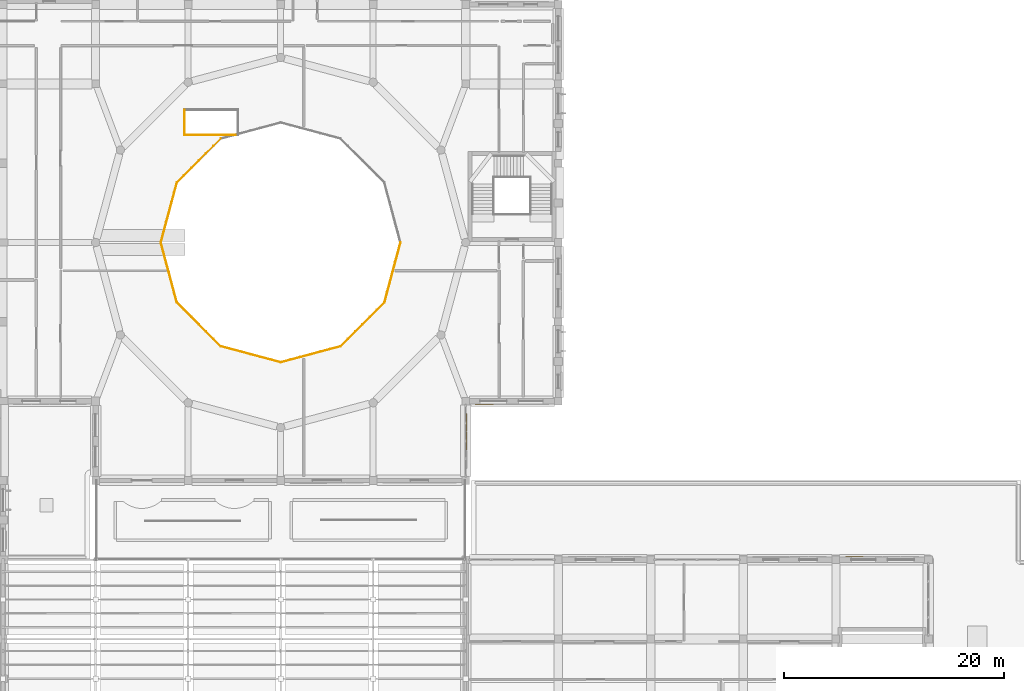
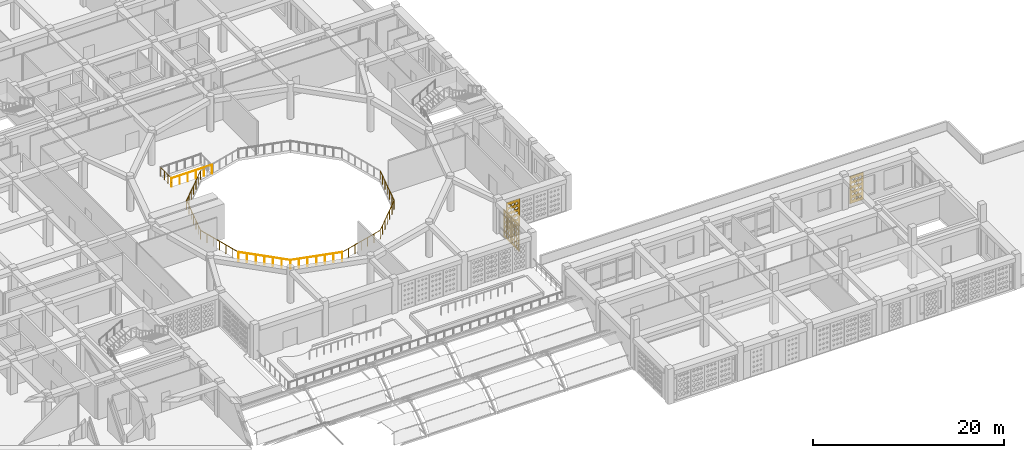
# One storey, part 83 of 100: 10 railings, 4 coverings.
"""IFC4 building model written with IfcOpenShell, lengths in metres."""

from ifc_helpers import new_model, si_unit, derived_unit, direction, frame, origin, origin_2d, place, context, subcontext, project, spatial, polyline, circle, outline, extrude, material, layer, layer_set, type_object, element, save


model = new_model("IFC4")

# Units and contexts
model_context = context("Model", 3, precision=1e-05, world=origin(), true_north=direction((0.0, 1.0)))
body_context = subcontext(model_context, "Body", "Model", "MODEL_VIEW")
ifc_project = project(units=[si_unit("LENGTHUNIT", "METRE"), si_unit("AREAUNIT", "SQUARE_METRE"), si_unit("VOLUMEUNIT", "CUBIC_METRE"), si_unit("PLANEANGLEUNIT", "RADIAN"), si_unit("MASSUNIT", "GRAM", prefix="KILO"), derived_unit("THERMALTRANSMITTANCEUNIT", [(si_unit("POWERUNIT", "WATT"), 1), (si_unit("LENGTHUNIT", "METRE"), -2), (si_unit("THERMODYNAMICTEMPERATUREUNIT", "KELVIN"), -1)])], contexts=[model_context])

# Site, building, storey
site_placement = place(None, origin())
site = spatial("IfcSite", under=ifc_project, at=site_placement, CompositionType="ELEMENT")
building_placement = place(site_placement, origin())
building = spatial("IfcBuilding", under=site, at=building_placement, Name="Veybourne Emporium", CompositionType="ELEMENT")
storey_placement = place(building_placement, frame((0.0, 0.0, 14.39990234375)))
storey = spatial("IfcBuildingStorey", under=building, at=storey_placement, Name="L03", CompositionType="ELEMENT", Elevation=14.39990234375)

# Railings
ifc_material_1 = material(Name="Patinated Architectural Bronze", Category="bronze")
railing_type = type_object("IfcRailingType", Name="Balustrade_BL-01", PredefinedType="BALUSTRADE", material=ifc_material_1)
railing_1_placement = place(storey_placement, frame((70.159912109375, 59.822265625, 0.0)))
element("IfcRailing", 1, at=railing_1_placement, inside=storey, type_object=railing_type, Name="L03 central atrium void balustrade 05", PredefinedType="BALUSTRADE", context=body_context, shape_type="SweptSolid", body=[
    extrude(circle(Radius=0.02392578125, at=origin_2d()), frame((0.0, 0.0, 1.1259765625), z_axis=(-0.707106781187, -0.707106781187, 0.0), x_axis=(0.707106781187, -0.707106781187, 0.0)), (0.0, 0.0, 1.0), 5.631591796875),
    extrude(circle(Radius=0.02099609375, at=origin_2d()), origin(), (0.0, 0.0, 1.0), 1.101806640625),
    extrude(circle(Radius=0.02099609375, at=origin_2d()), frame((-0.66357421875, -0.66357421875, 0.0)), (0.0, 0.0, 1.0), 1.101806640625),
    extrude(circle(Radius=0.02099609375, at=origin_2d()), frame((-1.327392578125, -1.327392578125, 0.0)), (0.0, 0.0, 1.0), 1.101806640625),
    extrude(circle(Radius=0.02099609375, at=origin_2d()), frame((-1.9912109375, -1.9912109375, 0.0)), (0.0, 0.0, 1.0), 1.101806640625),
    extrude(circle(Radius=0.02099609375, at=origin_2d()), frame((-2.65478515625, -2.65478515625, 0.0)), (0.0, 0.0, 1.0), 1.101806640625),
    extrude(circle(Radius=0.02099609375, at=origin_2d()), frame((-3.318359375, -3.318359375, 0.0)), (0.0, 0.0, 1.0), 1.101806640625),
    extrude(circle(Radius=0.02099609375, at=origin_2d()), frame((-3.982177734375, -3.982177734375, 0.0)), (0.0, 0.0, 1.0), 1.101806640625),
])
railing_2_placement = place(storey_placement, frame((66.177734375, 55.840087890625, 0.0)))
element("IfcRailing", 2, at=railing_2_placement, inside=storey, type_object=railing_type, Name="L03 central atrium void balustrade 06", PredefinedType="BALUSTRADE", context=body_context, shape_type="SweptSolid", body=[
    extrude(circle(Radius=0.02392578125, at=origin_2d()), frame((0.0, 0.0, 1.1259765625), z_axis=(-0.258830698881, -0.965922703593, 0.0), x_axis=(0.965922703593, -0.258830698881, 0.0)), (0.0, 0.0, 1.0), 5.632080078125),
    extrude(circle(Radius=0.02099609375, at=origin_2d()), origin(), (0.0, 0.0, 1.0), 1.101806640625),
    extrude(circle(Radius=0.02099609375, at=origin_2d()), frame((-0.242919921875, -0.90673828125, 0.0)), (0.0, 0.0, 1.0), 1.101806640625),
    extrude(circle(Radius=0.02099609375, at=origin_2d()), frame((-0.48583984375, -1.8134765625, 0.0)), (0.0, 0.0, 1.0), 1.101806640625),
    extrude(circle(Radius=0.02099609375, at=origin_2d()), frame((-0.72900390625, -2.72021484375, 0.0)), (0.0, 0.0, 1.0), 1.101806640625),
    extrude(circle(Radius=0.02099609375, at=origin_2d()), frame((-0.971923828125, -3.626708984375, 0.0)), (0.0, 0.0, 1.0), 1.101806640625),
    extrude(circle(Radius=0.02099609375, at=origin_2d()), frame((-1.21484375, -4.533447265625, 0.0)), (0.0, 0.0, 1.0), 1.101806640625),
    extrude(circle(Radius=0.02099609375, at=origin_2d()), frame((-1.457763671875, -5.440185546875, 0.0)), (0.0, 0.0, 1.0), 1.101806640625),
])
railing_3_placement = place(storey_placement, frame((64.719970703125, 50.39990234375, 0.0)))
element("IfcRailing", 3, at=railing_3_placement, inside=storey, type_object=railing_type, Name="L03 central atrium void balustrade 07", PredefinedType="BALUSTRADE", context=body_context, shape_type="SweptSolid", body=[
    extrude(circle(Radius=0.02392578125, at=origin_2d()), frame((0.0, 0.0, 1.1259765625), z_axis=(0.258841536762, -0.965919799386, 0.0), x_axis=(0.965919799386, 0.258841536762, 0.0)), (0.0, 0.0, 1.0), 5.6318359375),
    extrude(circle(Radius=0.02099609375, at=origin_2d()), origin(), (0.0, 0.0, 1.0), 1.101806640625),
    extrude(circle(Radius=0.02099609375, at=origin_2d()), frame((0.242919921875, -0.90673828125, 0.0)), (0.0, 0.0, 1.0), 1.101806640625),
    extrude(circle(Radius=0.02099609375, at=origin_2d()), frame((0.48583984375, -1.813232421875, 0.0)), (0.0, 0.0, 1.0), 1.101806640625),
    extrude(circle(Radius=0.02099609375, at=origin_2d()), frame((0.72900390625, -2.719970703125, 0.0)), (0.0, 0.0, 1.0), 1.101806640625),
    extrude(circle(Radius=0.02099609375, at=origin_2d()), frame((0.971923828125, -3.626708984375, 0.0)), (0.0, 0.0, 1.0), 1.101806640625),
    extrude(circle(Radius=0.02099609375, at=origin_2d()), frame((1.21484375, -4.533203125, 0.0)), (0.0, 0.0, 1.0), 1.101806640625),
    extrude(circle(Radius=0.02099609375, at=origin_2d()), frame((1.457763671875, -5.43994140625, 0.0)), (0.0, 0.0, 1.0), 1.101806640625),
])
railing_4_placement = place(storey_placement, frame((66.177734375, 44.9599609375, 0.0)))
element("IfcRailing", 4, at=railing_4_placement, inside=storey, type_object=railing_type, Name="L03 central atrium void balustrade 08", PredefinedType="BALUSTRADE", context=body_context, shape_type="SweptSolid", body=[
    extrude(circle(Radius=0.02392578125, at=origin_2d()), frame((0.0, 0.0, 1.1259765625), z_axis=(0.707085105755, -0.707128455954, 0.0), x_axis=(0.707128455954, 0.707085105755, 0.0)), (0.0, 0.0, 1.0), 5.6318359375),
    extrude(circle(Radius=0.02099609375, at=origin_2d()), origin(), (0.0, 0.0, 1.0), 1.101806640625),
    extrude(circle(Radius=0.02099609375, at=origin_2d()), frame((0.66357421875, -0.663818359375, 0.0)), (0.0, 0.0, 1.0), 1.101806640625),
    extrude(circle(Radius=0.02099609375, at=origin_2d()), frame((1.327392578125, -1.327392578125, 0.0)), (0.0, 0.0, 1.0), 1.101806640625),
    extrude(circle(Radius=0.02099609375, at=origin_2d()), frame((1.9912109375, -1.9912109375, 0.0)), (0.0, 0.0, 1.0), 1.101806640625),
    extrude(circle(Radius=0.02099609375, at=origin_2d()), frame((2.65478515625, -2.655029296875, 0.0)), (0.0, 0.0, 1.0), 1.101806640625),
    extrude(circle(Radius=0.02099609375, at=origin_2d()), frame((3.318359375, -3.318603515625, 0.0)), (0.0, 0.0, 1.0), 1.101806640625),
    extrude(circle(Radius=0.02099609375, at=origin_2d()), frame((3.982177734375, -3.982421875, 0.0)), (0.0, 0.0, 1.0), 1.101806640625),
])
railing_5_placement = place(storey_placement, frame((70.159912109375, 40.9775390625, 0.0)))
element("IfcRailing", 5, at=railing_5_placement, inside=storey, type_object=railing_type, Name="L03 central atrium void balustrade 09", PredefinedType="BALUSTRADE", context=body_context, shape_type="SweptSolid", body=[
    extrude(circle(Radius=0.02392578125, at=origin_2d()), frame((0.0, 0.0, 1.1259765625), z_axis=(0.965933540312, -0.25879025426, 0.0), x_axis=(0.25879025426, 0.965933540312, 0.0)), (0.0, 0.0, 1.0), 5.632080078125),
    extrude(circle(Radius=0.02099609375, at=origin_2d()), origin(), (0.0, 0.0, 1.0), 1.101806640625),
    extrude(circle(Radius=0.02099609375, at=origin_2d()), frame((0.90673828125, -0.242919921875, 0.0)), (0.0, 0.0, 1.0), 1.101806640625),
    extrude(circle(Radius=0.02099609375, at=origin_2d()), frame((1.8134765625, -0.48583984375, 0.0)), (0.0, 0.0, 1.0), 1.101806640625),
    extrude(circle(Radius=0.02099609375, at=origin_2d()), frame((2.72021484375, -0.728759765625, 0.0)), (0.0, 0.0, 1.0), 1.101806640625),
    extrude(circle(Radius=0.02099609375, at=origin_2d()), frame((3.626708984375, -0.9716796875, 0.0)), (0.0, 0.0, 1.0), 1.101806640625),
    extrude(circle(Radius=0.02099609375, at=origin_2d()), frame((4.533447265625, -1.214599609375, 0.0)), (0.0, 0.0, 1.0), 1.101806640625),
    extrude(circle(Radius=0.02099609375, at=origin_2d()), frame((5.440185546875, -1.45751953125, 0.0)), (0.0, 0.0, 1.0), 1.101806640625),
])
railing_6_placement = place(storey_placement, frame((75.60009765625, 39.52001953125, 0.0)))
element("IfcRailing", 6, at=railing_6_placement, inside=storey, type_object=railing_type, Name="L03 central atrium void balustrade 10", PredefinedType="BALUSTRADE", context=body_context, shape_type="SweptSolid", body=[
    extrude(circle(Radius=0.02392578125, at=origin_2d()), frame((0.0, 0.0, 1.1259765625), z_axis=(0.96593063698, 0.258801090691, 0.0), x_axis=(-0.258801090691, 0.96593063698, 0.0)), (0.0, 0.0, 1.0), 5.6318359375),
    extrude(circle(Radius=0.02099609375, at=origin_2d()), origin(), (0.0, 0.0, 1.0), 1.101806640625),
    extrude(circle(Radius=0.02099609375, at=origin_2d()), frame((0.90673828125, 0.242919921875, 0.0)), (0.0, 0.0, 1.0), 1.101806640625),
    extrude(circle(Radius=0.02099609375, at=origin_2d()), frame((1.813232421875, 0.48583984375, 0.0)), (0.0, 0.0, 1.0), 1.101806640625),
    extrude(circle(Radius=0.02099609375, at=origin_2d()), frame((2.719970703125, 0.728759765625, 0.0)), (0.0, 0.0, 1.0), 1.101806640625),
    extrude(circle(Radius=0.02099609375, at=origin_2d()), frame((3.626708984375, 0.9716796875, 0.0)), (0.0, 0.0, 1.0), 1.101806640625),
    extrude(circle(Radius=0.02099609375, at=origin_2d()), frame((4.533203125, 1.214599609375, 0.0)), (0.0, 0.0, 1.0), 1.101806640625),
    extrude(circle(Radius=0.02099609375, at=origin_2d()), frame((5.43994140625, 1.45751953125, 0.0)), (0.0, 0.0, 1.0), 1.101806640625),
])
railing_7_placement = place(storey_placement, frame((81.0400390625, 40.9775390625, 0.0)))
element("IfcRailing", 7, at=railing_7_placement, inside=storey, type_object=railing_type, Name="L03 central atrium void balustrade 11", PredefinedType="BALUSTRADE", context=body_context, shape_type="SweptSolid", body=[
    extrude(circle(Radius=0.02392578125, at=origin_2d()), frame((0.0, 0.0, 1.1259765625), z_axis=(0.707106781187, 0.707106781187, 0.0), x_axis=(-0.707106781187, 0.707106781187, 0.0)), (0.0, 0.0, 1.0), 5.632080078125),
    extrude(circle(Radius=0.02099609375, at=origin_2d()), origin(), (0.0, 0.0, 1.0), 1.101806640625),
    extrude(circle(Radius=0.02099609375, at=origin_2d()), frame((0.663818359375, 0.663818359375, 0.0)), (0.0, 0.0, 1.0), 1.101806640625),
    extrude(circle(Radius=0.02099609375, at=origin_2d()), frame((1.327392578125, 1.327392578125, 0.0)), (0.0, 0.0, 1.0), 1.101806640625),
    extrude(circle(Radius=0.02099609375, at=origin_2d()), frame((1.9912109375, 1.9912109375, 0.0)), (0.0, 0.0, 1.0), 1.101806640625),
    extrude(circle(Radius=0.02099609375, at=origin_2d()), frame((2.655029296875, 2.655029296875, 0.0)), (0.0, 0.0, 1.0), 1.101806640625),
    extrude(circle(Radius=0.02099609375, at=origin_2d()), frame((3.318603515625, 3.318603515625, 0.0)), (0.0, 0.0, 1.0), 1.101806640625),
    extrude(circle(Radius=0.02099609375, at=origin_2d()), frame((3.982421875, 3.982421875, 0.0)), (0.0, 0.0, 1.0), 1.101806640625),
])
railing_8_placement = place(storey_placement, frame((85.0224609375, 44.9599609375, 0.0)))
element("IfcRailing", 8, at=railing_8_placement, inside=storey, type_object=railing_type, Name="L03 central atrium void balustrade 12", PredefinedType="BALUSTRADE", context=body_context, shape_type="SweptSolid", body=[
    extrude(circle(Radius=0.02392578125, at=origin_2d()), frame((0.0, 0.0, 1.1259765625), z_axis=(0.258801090691, 0.96593063698, 0.0), x_axis=(-0.96593063698, 0.258801090691, 0.0)), (0.0, 0.0, 1.0), 5.6318359375),
    extrude(circle(Radius=0.02099609375, at=origin_2d()), origin(), (0.0, 0.0, 1.0), 1.101806640625),
    extrude(circle(Radius=0.02099609375, at=origin_2d()), frame((0.242919921875, 0.90673828125, 0.0)), (0.0, 0.0, 1.0), 1.101806640625),
    extrude(circle(Radius=0.02099609375, at=origin_2d()), frame((0.48583984375, 1.813232421875, 0.0)), (0.0, 0.0, 1.0), 1.101806640625),
    extrude(circle(Radius=0.02099609375, at=origin_2d()), frame((0.728759765625, 2.719970703125, 0.0)), (0.0, 0.0, 1.0), 1.101806640625),
    extrude(circle(Radius=0.02099609375, at=origin_2d()), frame((0.9716796875, 3.626708984375, 0.0)), (0.0, 0.0, 1.0), 1.101806640625),
    extrude(circle(Radius=0.02099609375, at=origin_2d()), frame((1.214599609375, 4.533203125, 0.0)), (0.0, 0.0, 1.0), 1.101806640625),
    extrude(circle(Radius=0.02099609375, at=origin_2d()), frame((1.45751953125, 5.43994140625, 0.0)), (0.0, 0.0, 1.0), 1.101806640625),
])
railing_9_placement = place(storey_placement, frame((66.860107421875, 60.171875, 0.0)))
element("IfcRailing", 9, at=railing_9_placement, inside=storey, type_object=railing_type, Name="L03 escalator well balustrade 1.1", PredefinedType="BALUSTRADE", context=body_context, shape_type="SweptSolid", body=[
    extrude(circle(Radius=0.02392578125, at=origin_2d()), frame((0.0, 0.0, 1.1259765625), z_axis=(1.0, 0.0, 0.0), x_axis=(0.0, 1.0, 0.0)), (0.0, 0.0, 1.0), 4.8798828125),
    extrude(circle(Radius=0.02099609375, at=origin_2d()), origin(), (0.0, 0.0, 1.0), 1.101806640625),
    extrude(circle(Radius=0.02099609375, at=origin_2d()), frame((0.97607421875, 0.0, 0.0)), (0.0, 0.0, 1.0), 1.101806640625),
    extrude(circle(Radius=0.02099609375, at=origin_2d()), frame((1.951904296875, 0.0, 0.0)), (0.0, 0.0, 1.0), 1.101806640625),
    extrude(circle(Radius=0.02099609375, at=origin_2d()), frame((2.927978515625, 0.0, 0.0)), (0.0, 0.0, 1.0), 1.101806640625),
    extrude(circle(Radius=0.02099609375, at=origin_2d()), frame((3.90380859375, 0.0, 0.0)), (0.0, 0.0, 1.0), 1.101806640625),
    extrude(circle(Radius=0.02099609375, at=origin_2d()), frame((4.8798828125, 0.0, 0.0)), (0.0, 0.0, 1.0), 1.101806640625),
])
railing_10_placement = place(storey_placement, frame((66.860107421875, 62.451904296875, 0.0)))
element("IfcRailing", 10, at=railing_10_placement, inside=storey, type_object=railing_type, Name="L03 escalator well balustrade 1.4", PredefinedType="BALUSTRADE", context=body_context, shape_type="SweptSolid", body=[
    extrude(circle(Radius=0.02392578125, at=origin_2d()), frame((0.0, 0.0, 1.1259765625), z_axis=(0.0, -1.0, 0.0), x_axis=(1.0, 0.0, 0.0)), (0.0, 0.0, 1.0), 2.280029296875),
    extrude(circle(Radius=0.02099609375, at=origin_2d()), origin(), (0.0, 0.0, 1.0), 1.101806640625),
    extrude(circle(Radius=0.02099609375, at=origin_2d()), frame((0.0, -0.760009765625, 0.0)), (0.0, 0.0, 1.0), 1.101806640625),
    extrude(circle(Radius=0.02099609375, at=origin_2d()), frame((0.0, -1.52001953125, 0.0)), (0.0, 0.0, 1.0), 1.101806640625),
    extrude(circle(Radius=0.02099609375, at=origin_2d()), frame((0.0, -2.280029296875, 0.0)), (0.0, 0.0, 1.0), 1.101806640625),
])

# Coverings
ifc_material_2 = material(Name="Warm-White Perforated Aluminium Screen Alloy", Category="aluminium")
ifc_layer_1 = layer(ifc_material_2, 0.06005859375)
ifc_layer_set_1 = layer_set([ifc_layer_1], Name="Warm-White Perforated Aluminium Screen Alloy")
covering_type_1 = type_object("IfcCoveringType", Name="WaveScreen_SCR-01", PredefinedType="CLADDING", material=ifc_layer_set_1)
covering_1_placement = place(storey_placement, frame((94.080078125, 35.701904296875, 1.815185546875), z_axis=(0.0, 1.0, 0.0), x_axis=(-1.0, 0.0, 0.0)))
element("IfcCovering", 11, at=covering_1_placement, inside=storey, type_object=covering_type_1, Name="L03 wave-perforated aluminium screen SCR-01 (53.4)", PredefinedType="CLADDING", context=body_context, shape_type="SweptSolid", body=[
    extrude(outline(polyline([(-0.81982421875, -1.7548828125), (0.81982421875, -1.7548828125), (0.81982421875, 1.7548828125), (-0.81982421875, 1.7548828125), (-0.81982421875, -1.7548828125)]), holes=[polyline([(-0.433349609375, -0.986572265625), (-0.2470703125, -1.14111328125), (-0.2470703125, -1.31494140625), (-0.433349609375, -1.469482421875), (-0.61962890625, -1.31494140625), (-0.61962890625, -1.14111328125), (-0.433349609375, -0.986572265625)]), polyline([(-0.433349609375, -0.384765625), (-0.2470703125, -0.531494140625), (-0.2470703125, -0.696533203125), (-0.433349609375, -0.84326171875), (-0.61962890625, -0.696533203125), (-0.61962890625, -0.531494140625), (-0.433349609375, -0.384765625)]), polyline([(-0.433349609375, 0.216064453125), (-0.2470703125, 0.077880859375), (-0.2470703125, -0.077880859375), (-0.433349609375, -0.216064453125), (-0.61962890625, -0.077880859375), (-0.61962890625, 0.077880859375), (-0.433349609375, 0.216064453125)]), polyline([(-0.433349609375, 0.816162109375), (-0.2578125, 0.686767578125), (-0.2578125, 0.541259765625), (-0.433349609375, 0.411865234375), (-0.60888671875, 0.541259765625), (-0.60888671875, 0.686767578125), (-0.433349609375, 0.816162109375)]), polyline([(-0.433349609375, 1.416015625), (-0.26953125, 1.295654296875), (-0.26953125, 1.160400390625), (-0.433349609375, 1.039794921875), (-0.59716796875, 1.160400390625), (-0.59716796875, 1.295654296875), (-0.433349609375, 1.416015625)]), polyline([(0.0, -0.981689453125), (0.186279296875, -1.139404296875), (0.186279296875, -1.316650390625), (0.0, -1.474365234375), (-0.186279296875, -1.316650390625), (-0.186279296875, -1.139404296875), (0.0, -0.981689453125)]), polyline([(0.0, -0.379150390625), (0.186279296875, -0.529296875), (0.186279296875, -0.698486328125), (0.0, -0.848876953125), (-0.186279296875, -0.698486328125), (-0.186279296875, -0.529296875), (0.0, -0.379150390625)]), polyline([(0.0, 0.22216796875), (0.186279296875, 0.080078125), (0.186279296875, -0.080078125), (0.0, -0.22216796875), (-0.186279296875, -0.080078125), (-0.186279296875, 0.080078125), (0.0, 0.22216796875)]), polyline([(0.0, 0.822509765625), (0.1806640625, 0.689208984375), (0.1806640625, 0.538818359375), (0.0, 0.405517578125), (-0.1806640625, 0.538818359375), (-0.1806640625, 0.689208984375), (0.0, 0.822509765625)]), polyline([(0.0, 1.422607421875), (0.169189453125, 1.298095703125), (0.169189453125, 1.157958984375), (0.0, 1.033447265625), (-0.169189453125, 1.157958984375), (-0.169189453125, 1.298095703125), (0.0, 1.422607421875)]), polyline([(0.433349609375, -0.976806640625), (0.61962890625, -1.1376953125), (0.61962890625, -1.318359375), (0.433349609375, -1.47900390625), (0.2470703125, -1.318359375), (0.2470703125, -1.1376953125), (0.433349609375, -0.976806640625)]), polyline([(0.433349609375, -0.373779296875), (0.61962890625, -0.527587890625), (0.61962890625, -0.700439453125), (0.433349609375, -0.854248046875), (0.2470703125, -0.700439453125), (0.2470703125, -0.527587890625), (0.433349609375, -0.373779296875)]), polyline([(0.433349609375, 0.22802734375), (0.61962890625, 0.08203125), (0.61962890625, -0.08203125), (0.433349609375, -0.22802734375), (0.2470703125, -0.08203125), (0.2470703125, 0.08203125), (0.433349609375, 0.22802734375)]), polyline([(0.433349609375, 0.828857421875), (0.619140625, 0.69140625), (0.619140625, 0.53662109375), (0.433349609375, 0.399169921875), (0.24755859375, 0.53662109375), (0.24755859375, 0.69140625), (0.433349609375, 0.828857421875)]), polyline([(0.433349609375, 1.428955078125), (0.607666015625, 1.30029296875), (0.607666015625, 1.15576171875), (0.433349609375, 1.027099609375), (0.259033203125, 1.15576171875), (0.259033203125, 1.30029296875), (0.433349609375, 1.428955078125)])]), origin(), (0.0, 0.0, 1.0), 0.06005859375),
])
ifc_layer_2 = layer(ifc_material_2, 0.06005859375)
ifc_layer_set_2 = layer_set([ifc_layer_2], Name="Warm-White Perforated Aluminium Screen Alloy")
covering_type_2 = type_object("IfcCoveringType", Name="WaveScreen_SCR-03", PredefinedType="CLADDING", material=ifc_layer_set_2)
covering_2_placement = place(storey_placement, frame((92.494140625, 34.080078125, 1.815185546875), z_axis=(-1.0, 0.0, 0.0), x_axis=(0.0, -1.0, 0.0)))
element("IfcCovering", 12, at=covering_2_placement, inside=storey, type_object=covering_type_2, Name="L03 wave-perforated aluminium screen SCR-03 (42C.1)", PredefinedType="CLADDING", context=body_context, shape_type="SweptSolid", body=[
    extrude(outline(polyline([(-0.81982421875, -1.7548828125), (0.81982421875, -1.7548828125), (0.81982421875, 1.7548828125), (-0.81982421875, 1.7548828125), (-0.81982421875, -1.7548828125)]), holes=[polyline([(-0.433349609375, -0.964111328125), (-0.2470703125, -1.133056640625), (-0.2470703125, -1.322998046875), (-0.433349609375, -1.491943359375), (-0.61962890625, -1.322998046875), (-0.61962890625, -1.133056640625), (-0.433349609375, -0.964111328125)]), polyline([(-0.433349609375, -0.35009765625), (-0.2470703125, -0.51904296875), (-0.2470703125, -0.708984375), (-0.433349609375, -0.8779296875), (-0.61962890625, -0.708984375), (-0.61962890625, -0.51904296875), (-0.433349609375, -0.35009765625)]), polyline([(-0.433349609375, 0.256103515625), (-0.2470703125, 0.09228515625), (-0.2470703125, -0.09228515625), (-0.433349609375, -0.256103515625), (-0.61962890625, -0.09228515625), (-0.61962890625, 0.09228515625), (-0.433349609375, 0.256103515625)]), polyline([(-0.433349609375, 0.860107421875), (-0.2470703125, 0.70263671875), (-0.2470703125, 0.525390625), (-0.433349609375, 0.367919921875), (-0.61962890625, 0.525390625), (-0.61962890625, 0.70263671875), (-0.433349609375, 0.860107421875)]), polyline([(-0.433349609375, 1.46240234375), (-0.2470703125, 1.3125), (-0.2470703125, 1.1435546875), (-0.433349609375, 0.993408203125), (-0.61962890625, 1.1435546875), (-0.61962890625, 1.3125), (-0.433349609375, 1.46240234375)]), polyline([(0.0, -0.964111328125), (0.186279296875, -1.133056640625), (0.186279296875, -1.322998046875), (0.0, -1.491943359375), (-0.186279296875, -1.322998046875), (-0.186279296875, -1.133056640625), (0.0, -0.964111328125)]), polyline([(0.0, -0.35009765625), (0.186279296875, -0.51904296875), (0.186279296875, -0.708984375), (0.0, -0.8779296875), (-0.186279296875, -0.708984375), (-0.186279296875, -0.51904296875), (0.0, -0.35009765625)]), polyline([(0.0, 0.260009765625), (0.186279296875, 0.093505859375), (0.186279296875, -0.093505859375), (0.0, -0.260009765625), (-0.186279296875, -0.093505859375), (-0.186279296875, 0.093505859375), (0.0, 0.260009765625)]), polyline([(0.0, 0.86474609375), (0.186279296875, 0.704345703125), (0.186279296875, 0.523681640625), (0.0, 0.36328125), (-0.186279296875, 0.523681640625), (-0.186279296875, 0.704345703125), (0.0, 0.86474609375)]), polyline([(0.0, 1.468017578125), (0.186279296875, 1.314453125), (0.186279296875, 1.1416015625), (0.0, 0.988037109375), (-0.186279296875, 1.1416015625), (-0.186279296875, 1.314453125), (0.0, 1.468017578125)]), polyline([(0.433349609375, -0.964111328125), (0.61962890625, -1.133056640625), (0.61962890625, -1.322998046875), (0.433349609375, -1.491943359375), (0.2470703125, -1.322998046875), (0.2470703125, -1.133056640625), (0.433349609375, -0.964111328125)]), polyline([(0.433349609375, -0.35009765625), (0.61962890625, -0.51904296875), (0.61962890625, -0.708984375), (0.433349609375, -0.8779296875), (0.2470703125, -0.708984375), (0.2470703125, -0.51904296875), (0.433349609375, -0.35009765625)]), polyline([(0.433349609375, 0.263427734375), (0.61962890625, 0.0947265625), (0.61962890625, -0.0947265625), (0.433349609375, -0.263427734375), (0.2470703125, -0.0947265625), (0.2470703125, 0.0947265625), (0.433349609375, 0.263427734375)]), polyline([(0.433349609375, 0.869140625), (0.61962890625, 0.705810546875), (0.61962890625, 0.522216796875), (0.433349609375, 0.35888671875), (0.2470703125, 0.522216796875), (0.2470703125, 0.705810546875), (0.433349609375, 0.869140625)]), polyline([(0.433349609375, 1.472900390625), (0.61962890625, 1.316162109375), (0.61962890625, 1.139892578125), (0.433349609375, 0.98291015625), (0.2470703125, 1.139892578125), (0.2470703125, 1.316162109375), (0.433349609375, 1.472900390625)])]), origin(), (0.0, 0.0, 1.0), 0.06005859375),
])
covering_3_placement = place(storey_placement, frame((127.679931640625, 21.89794921875, 1.815185546875), z_axis=(0.0, -1.0, 0.0), x_axis=(1.0, 0.0, 0.0)))
element("IfcCovering", 13, at=covering_3_placement, inside=storey, type_object=covering_type_2, Name="L03 wave-perforated aluminium screen SCR-03 (70.1)", PredefinedType="CLADDING", context=body_context, shape_type="SweptSolid", body=[
    extrude(outline(polyline([(-0.81982421875, -1.7548828125), (0.81982421875, -1.7548828125), (0.81982421875, 1.7548828125), (-0.81982421875, 1.7548828125), (-0.81982421875, -1.7548828125)]), holes=[polyline([(-0.433349609375, -1.06591796875), (-0.290771484375, -1.169677734375), (-0.290771484375, -1.286376953125), (-0.433349609375, -1.389892578125), (-0.575927734375, -1.286376953125), (-0.575927734375, -1.169677734375), (-0.433349609375, -1.06591796875)]), polyline([(-0.433349609375, -0.4384765625), (-0.27978515625, -0.55078125), (-0.27978515625, -0.67724609375), (-0.433349609375, -0.78955078125), (-0.5869140625, -0.67724609375), (-0.5869140625, -0.55078125), (-0.433349609375, -0.4384765625)]), polyline([(-0.433349609375, 0.189697265625), (-0.268310546875, 0.068359375), (-0.268310546875, -0.068359375), (-0.433349609375, -0.189697265625), (-0.598388671875, -0.068359375), (-0.598388671875, 0.068359375), (-0.433349609375, 0.189697265625)]), polyline([(-0.433349609375, 0.81787109375), (-0.256591796875, 0.6875), (-0.256591796875, 0.54052734375), (-0.433349609375, 0.41015625), (-0.610107421875, 0.54052734375), (-0.610107421875, 0.6875), (-0.433349609375, 0.81787109375)]), polyline([(-0.433349609375, 1.445556640625), (-0.2470703125, 1.306396484375), (-0.2470703125, 1.149658203125), (-0.433349609375, 1.010498046875), (-0.61962890625, 1.149658203125), (-0.61962890625, 1.306396484375), (-0.433349609375, 1.445556640625)]), polyline([(0.0, -1.06005859375), (0.1474609375, -1.16748046875), (0.1474609375, -1.28857421875), (0.0, -1.39599609375), (-0.1474609375, -1.28857421875), (-0.1474609375, -1.16748046875), (0.0, -1.06005859375)]), polyline([(0.0, -0.43212890625), (0.15869140625, -0.548583984375), (0.15869140625, -0.679443359375), (0.0, -0.7958984375), (-0.15869140625, -0.679443359375), (-0.15869140625, -0.548583984375), (0.0, -0.43212890625)]), polyline([(0.0, 0.196044921875), (0.17041015625, 0.070556640625), (0.17041015625, -0.070556640625), (0.0, -0.196044921875), (-0.17041015625, -0.070556640625), (-0.17041015625, 0.070556640625), (0.0, 0.196044921875)]), polyline([(0.0, 0.82421875), (0.181884765625, 0.689697265625), (0.181884765625, 0.538330078125), (0.0, 0.40380859375), (-0.181884765625, 0.538330078125), (-0.181884765625, 0.689697265625), (0.0, 0.82421875)]), polyline([(0.0, 1.45166015625), (0.186279296875, 1.30859375), (0.186279296875, 1.1474609375), (0.0, 1.00439453125), (-0.186279296875, 1.1474609375), (-0.186279296875, 1.30859375), (0.0, 1.45166015625)]), polyline([(0.433349609375, -1.0537109375), (0.5859375, -1.165283203125), (0.5859375, -1.290771484375), (0.433349609375, -1.40234375), (0.28076171875, -1.290771484375), (0.28076171875, -1.165283203125), (0.433349609375, -1.0537109375)]), polyline([(0.433349609375, -0.42578125), (0.597412109375, -0.546142578125), (0.597412109375, -0.681884765625), (0.433349609375, -0.80224609375), (0.269287109375, -0.681884765625), (0.269287109375, -0.546142578125), (0.433349609375, -0.42578125)]), polyline([(0.433349609375, 0.202392578125), (0.60888671875, 0.072998046875), (0.60888671875, -0.072998046875), (0.433349609375, -0.202392578125), (0.2578125, -0.072998046875), (0.2578125, 0.072998046875), (0.433349609375, 0.202392578125)]), polyline([(0.433349609375, 0.830322265625), (0.61962890625, 0.69189453125), (0.61962890625, 0.5361328125), (0.433349609375, 0.397705078125), (0.2470703125, 0.5361328125), (0.2470703125, 0.69189453125), (0.433349609375, 0.830322265625)]), polyline([(0.433349609375, 1.45751953125), (0.61962890625, 1.310546875), (0.61962890625, 1.1455078125), (0.433349609375, 0.99853515625), (0.2470703125, 1.1455078125), (0.2470703125, 1.310546875), (0.433349609375, 1.45751953125)])]), origin(), (0.0, 0.0, 1.0), 0.06005859375),
])
ifc_layer_3 = layer(ifc_material_2, 0.06005859375)
ifc_layer_set_3 = layer_set([ifc_layer_3], Name="Warm-White Perforated Aluminium Screen Alloy")
covering_type_3 = type_object("IfcCoveringType", Name="WaveScreen_SCR-04", PredefinedType="CLADDING", material=ifc_layer_set_3)
covering_4_placement = place(storey_placement, frame((92.494140625, 32.39990234375, 1.815185546875), z_axis=(-1.0, 0.0, 0.0), x_axis=(0.0, -1.0, 0.0)))
element("IfcCovering", 14, at=covering_4_placement, inside=storey, type_object=covering_type_3, Name="L03 wave-perforated aluminium screen SCR-04 (42C.2)", PredefinedType="CLADDING", context=body_context, shape_type="SweptSolid", body=[
    extrude(outline(polyline([(-0.81982421875, -1.7548828125), (0.81982421875, -1.7548828125), (0.81982421875, 1.7548828125), (-0.81982421875, 1.7548828125), (-0.81982421875, -1.7548828125)]), holes=[polyline([(-0.433349609375, -0.964111328125), (-0.2470703125, -1.133056640625), (-0.2470703125, -1.322998046875), (-0.433349609375, -1.491943359375), (-0.61962890625, -1.322998046875), (-0.61962890625, -1.133056640625), (-0.433349609375, -0.964111328125)]), polyline([(-0.433349609375, -0.35009765625), (-0.2470703125, -0.51904296875), (-0.2470703125, -0.708984375), (-0.433349609375, -0.8779296875), (-0.61962890625, -0.708984375), (-0.61962890625, -0.51904296875), (-0.433349609375, -0.35009765625)]), polyline([(-0.433349609375, 0.263916015625), (-0.2470703125, 0.094970703125), (-0.2470703125, -0.094970703125), (-0.433349609375, -0.263916015625), (-0.61962890625, -0.094970703125), (-0.61962890625, 0.094970703125), (-0.433349609375, 0.263916015625)]), polyline([(-0.433349609375, 0.876220703125), (-0.2470703125, 0.70849609375), (-0.2470703125, 0.51953125), (-0.433349609375, 0.351806640625), (-0.61962890625, 0.51953125), (-0.61962890625, 0.70849609375), (-0.433349609375, 0.876220703125)]), polyline([(-0.433349609375, 1.481689453125), (-0.2470703125, 1.3193359375), (-0.2470703125, 1.13671875), (-0.433349609375, 0.97412109375), (-0.61962890625, 1.13671875), (-0.61962890625, 1.3193359375), (-0.433349609375, 1.481689453125)]), polyline([(0.0, -0.964111328125), (0.186279296875, -1.133056640625), (0.186279296875, -1.322998046875), (0.0, -1.491943359375), (-0.186279296875, -1.322998046875), (-0.186279296875, -1.133056640625), (0.0, -0.964111328125)]), polyline([(0.0, -0.35009765625), (0.186279296875, -0.51904296875), (0.186279296875, -0.708984375), (0.0, -0.8779296875), (-0.186279296875, -0.708984375), (-0.186279296875, -0.51904296875), (0.0, -0.35009765625)]), polyline([(0.0, 0.263916015625), (0.186279296875, 0.094970703125), (0.186279296875, -0.094970703125), (0.0, -0.263916015625), (-0.186279296875, -0.094970703125), (-0.186279296875, 0.094970703125), (0.0, 0.263916015625)]), polyline([(0.0, 0.8779296875), (0.186279296875, 0.708984375), (0.186279296875, 0.51904296875), (0.0, 0.35009765625), (-0.186279296875, 0.51904296875), (-0.186279296875, 0.708984375), (0.0, 0.8779296875)]), polyline([(0.0, 1.48583984375), (0.186279296875, 1.32080078125), (0.186279296875, 1.13525390625), (0.0, 0.97021484375), (-0.186279296875, 1.13525390625), (-0.186279296875, 1.32080078125), (0.0, 1.48583984375)]), polyline([(0.433349609375, -0.964111328125), (0.61962890625, -1.133056640625), (0.61962890625, -1.322998046875), (0.433349609375, -1.491943359375), (0.2470703125, -1.322998046875), (0.2470703125, -1.133056640625), (0.433349609375, -0.964111328125)]), polyline([(0.433349609375, -0.35009765625), (0.61962890625, -0.51904296875), (0.61962890625, -0.708984375), (0.433349609375, -0.8779296875), (0.2470703125, -0.708984375), (0.2470703125, -0.51904296875), (0.433349609375, -0.35009765625)]), polyline([(0.433349609375, 0.263916015625), (0.61962890625, 0.094970703125), (0.61962890625, -0.094970703125), (0.433349609375, -0.263916015625), (0.2470703125, -0.094970703125), (0.2470703125, 0.094970703125), (0.433349609375, 0.263916015625)]), polyline([(0.433349609375, 0.8779296875), (0.61962890625, 0.708984375), (0.61962890625, 0.51904296875), (0.433349609375, 0.35009765625), (0.2470703125, 0.51904296875), (0.2470703125, 0.708984375), (0.433349609375, 0.8779296875)]), polyline([(0.433349609375, 1.489501953125), (0.61962890625, 1.322265625), (0.61962890625, 1.1337890625), (0.433349609375, 0.96630859375), (0.2470703125, 1.1337890625), (0.2470703125, 1.322265625), (0.433349609375, 1.489501953125)])]), origin(), (0.0, 0.0, 1.0), 0.06005859375),
])

save(model, "model.ifc")
